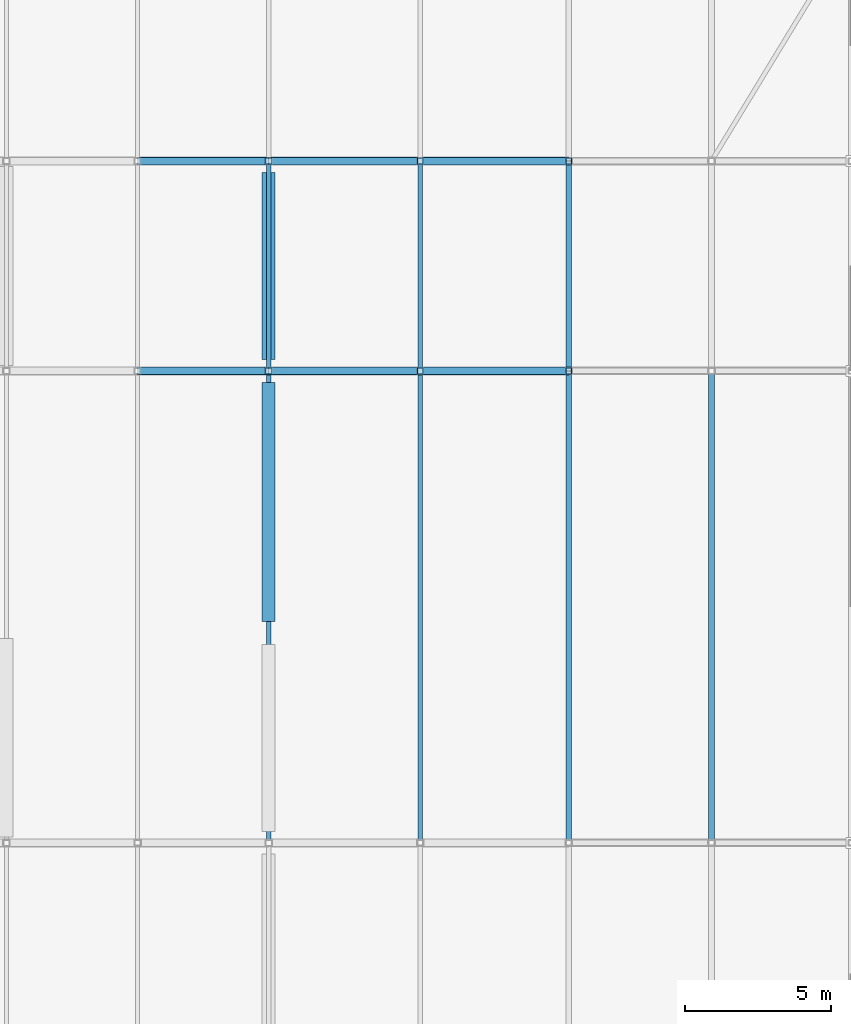
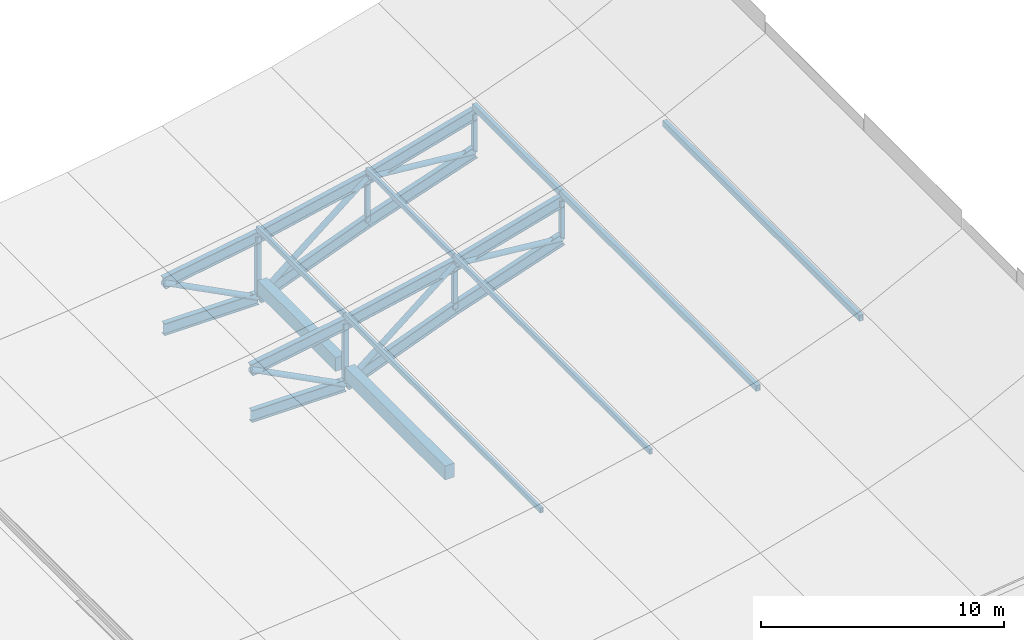
# One storey, part 16 of 24: 19 members, 14 beams.
"""IFC4 building model written with IfcOpenShell, lengths in metres."""

from ifc_helpers import new_model, si_unit, direction, frame, origin, origin_2d, place, context, subcontext, project, spatial, rectangle, hollow_rectangle, hollow_circle, i_section, extrude, material, material_profile, profile_set, type_object, element, save


model = new_model("IFC4")

# Units and contexts
model_context = context("Model", 3, precision=1e-05, world=origin(), true_north=direction((0.0, 1.0)))
body_context = subcontext(model_context, "Body", "Model", "MODEL_VIEW")
ifc_project = project(units=[si_unit("LENGTHUNIT", "METRE"), si_unit("AREAUNIT", "SQUARE_METRE"), si_unit("VOLUMEUNIT", "CUBIC_METRE"), si_unit("PLANEANGLEUNIT", "RADIAN"), si_unit("MASSUNIT", "GRAM", prefix="KILO"), si_unit("THERMODYNAMICTEMPERATUREUNIT", "KELVIN"), si_unit("POWERUNIT", "WATT")], contexts=[model_context])

# Site, building, storey
site_placement = place(None, origin())
site = spatial("IfcSite", under=ifc_project, at=site_placement, CompositionType="ELEMENT")
building_placement = place(site_placement, origin())
building = spatial("IfcBuilding", under=site, at=building_placement, Name="Sindhuravela Promenade Stadium", CompositionType="ELEMENT")
storey_placement = place(building_placement, frame((0.0, 0.0, 28.800048828125)))
storey = spatial("IfcBuildingStorey", under=building, at=storey_placement, Name="RF", CompositionType="ELEMENT", Elevation=28.800048828125)

# Beams
ifc_material_1 = material(Name="Concrete M40", Category="concrete")
ifc_material_profile_1 = material_profile(ifc_material_1, rectangle(XDim=0.449951171875, YDim=0.699951171875, at=origin_2d()), Name="RC 450x700")
ifc_profile_set_1 = profile_set([ifc_material_profile_1], Name="Concrete M40")
beam_type_1 = type_object("IfcBeamType", Name="RC-BM-450x700", PredefinedType="BEAM", material=ifc_profile_set_1)
beam_1_placement = place(storey_placement, frame((36.0, 101.18994140625, -0.590087890625), z_axis=(0.0, 1.0, 0.0), x_axis=(-1.0, 0.0, 0.0)))
element("IfcBeam", 1, at=beam_1_placement, inside=storey, type_object=beam_type_1, Name="Primary beam GB07 WEST RF", PredefinedType="BEAM", context=body_context, shape_type="SweptSolid", body=[
    extrude(rectangle(XDim=0.449951171875, YDim=0.699951171875, at=origin_2d()), origin(), (0.0, 0.0, 1.0), 8.219970703125),
])
beam_2_placement = place(storey_placement, frame((36.0, 110.18994140625, -0.590087890625), z_axis=(0.0, 1.0, 0.0), x_axis=(-1.0, 0.0, 0.0)))
element("IfcBeam", 2, at=beam_2_placement, inside=storey, type_object=beam_type_1, Name="Primary beam GB07 WEST RF", PredefinedType="BEAM", context=body_context, shape_type="SweptSolid", body=[
    extrude(rectangle(XDim=0.449951171875, YDim=0.699951171875, at=origin_2d()), origin(), (0.0, 0.0, 1.0), 6.420166015625),
])
ifc_material_2 = material(Name="Steel E350 (IS 2062 E350BR)", Category="steel")
ifc_material_profile_2 = material_profile(ifc_material_2, i_section(OverallWidth=0.25, OverallDepth=0.60009765625, WebThickness=0.01171875, FlangeThickness=0.023681640625, FilletRadius=0.01708984375, at=origin_2d()), Name="ISWB 600")
ifc_profile_set_2 = profile_set([ifc_material_profile_2], Name="Steel E350 (IS 2062 E350BR)")
beam_type_2 = type_object("IfcBeamType", Name="ST-BM-WB600", PredefinedType="USERDEFINED", material=ifc_profile_set_2)
beam_3_placement = place(storey_placement, frame((31.5, 109.800048828125, 0.91796875), z_axis=(0.9860007817439423, 0.0, 0.16674069209504494), x_axis=(0.0, 1.0, 0.0)))
element("IfcBeam", 3, at=beam_3_placement, inside=storey, type_object=beam_type_2, Name="Roof truss RT-W07 top chord 4", ObjectType="ROOF TRUSS", PredefinedType="USERDEFINED", context=body_context, shape_type="SweptSolid", body=[
    extrude(i_section(OverallWidth=0.25, OverallDepth=0.60009765625, WebThickness=0.01171875, FlangeThickness=0.023681640625, FilletRadius=0.01708984375, at=origin_2d()), origin(), (0.0, 0.0, 1.0), 4.56396484375),
])
beam_4_placement = place(storey_placement, frame((31.5, 109.800048828125, -1.400146484375), z_axis=(1.0, 0.0, 0.0), x_axis=(0.0, 1.0, 0.0)))
element("IfcBeam", 4, at=beam_4_placement, inside=storey, type_object=beam_type_2, Name="Roof truss RT-W07 bottom chord 4", ObjectType="ROOF TRUSS", PredefinedType="USERDEFINED", context=body_context, shape_type="SweptSolid", body=[
    extrude(i_section(OverallWidth=0.25, OverallDepth=0.60009765625, WebThickness=0.01171875, FlangeThickness=0.023681640625, FilletRadius=0.01708984375, at=origin_2d()), origin(), (0.0, 0.0, 1.0), 4.5),
])
beam_5_placement = place(storey_placement, frame((36.0, 109.800048828125, 1.678955078125), z_axis=(0.9771784342317954, 0.0, 0.21242012068609853), x_axis=(0.0, 1.0, 0.0)))
element("IfcBeam", 5, at=beam_5_placement, inside=storey, type_object=beam_type_2, Name="Roof truss RT-W07 top chord 5", ObjectType="ROOF TRUSS", PredefinedType="USERDEFINED", context=body_context, shape_type="SweptSolid", body=[
    extrude(i_section(OverallWidth=0.25, OverallDepth=0.60009765625, WebThickness=0.01171875, FlangeThickness=0.023681640625, FilletRadius=0.01708984375, at=origin_2d()), origin(), (0.0, 0.0, 1.0), 5.3212890625),
])
beam_6_placement = place(storey_placement, frame((36.0, 109.800048828125, -1.400146484375), z_axis=(0.9332269823320635, 0.0, 0.3592873494118466), x_axis=(0.0, 1.0, 0.0)))
element("IfcBeam", 6, at=beam_6_placement, inside=storey, type_object=beam_type_2, Name="Roof truss RT-W07 bottom chord 5", ObjectType="ROOF TRUSS", PredefinedType="USERDEFINED", context=body_context, shape_type="SweptSolid", body=[
    extrude(i_section(OverallWidth=0.25, OverallDepth=0.60009765625, WebThickness=0.01171875, FlangeThickness=0.023681640625, FilletRadius=0.01708984375, at=origin_2d()), origin(), (0.0, 0.0, 1.0), 5.572021484375),
])
beam_7_placement = place(storey_placement, frame((41.199951171875, 109.800048828125, 2.809326171875), z_axis=(0.9625104587283877, 0.0, 0.2712445701548118), x_axis=(0.0, 1.0, 0.0)))
element("IfcBeam", 7, at=beam_7_placement, inside=storey, type_object=beam_type_2, Name="Roof truss RT-W07 top chord 6", ObjectType="ROOF TRUSS", PredefinedType="USERDEFINED", context=body_context, shape_type="SweptSolid", body=[
    extrude(i_section(OverallWidth=0.25, OverallDepth=0.60009765625, WebThickness=0.01171875, FlangeThickness=0.023681640625, FilletRadius=0.01708984375, at=origin_2d()), origin(), (0.0, 0.0, 1.0), 5.298828125),
])
beam_8_placement = place(storey_placement, frame((41.199951171875, 109.800048828125, 0.601806640625), z_axis=(0.947332432417477, 0.0, 0.32025187351518536), x_axis=(0.0, 1.0, 0.0)))
element("IfcBeam", 8, at=beam_8_placement, inside=storey, type_object=beam_type_2, Name="Roof truss RT-W07 bottom chord 6", ObjectType="ROOF TRUSS", PredefinedType="USERDEFINED", context=body_context, shape_type="SweptSolid", body=[
    extrude(i_section(OverallWidth=0.25, OverallDepth=0.60009765625, WebThickness=0.01171875, FlangeThickness=0.023681640625, FilletRadius=0.01708984375, at=origin_2d()), origin(), (0.0, 0.0, 1.0), 5.383544921875),
])
beam_9_placement = place(storey_placement, frame((31.5, 117.0, 0.91796875), z_axis=(0.9860007817439423, 0.0, 0.16674069209504494), x_axis=(0.0, 1.0, 0.0)))
element("IfcBeam", 9, at=beam_9_placement, inside=storey, type_object=beam_type_2, Name="Roof truss RT-W08 top chord 4", ObjectType="ROOF TRUSS", PredefinedType="USERDEFINED", context=body_context, shape_type="SweptSolid", body=[
    extrude(i_section(OverallWidth=0.25, OverallDepth=0.60009765625, WebThickness=0.01171875, FlangeThickness=0.023681640625, FilletRadius=0.01708984375, at=origin_2d()), origin(), (0.0, 0.0, 1.0), 4.56396484375),
])
beam_10_placement = place(storey_placement, frame((31.5, 117.0, -1.400146484375), z_axis=(1.0, 0.0, 0.0), x_axis=(0.0, 1.0, 0.0)))
element("IfcBeam", 10, at=beam_10_placement, inside=storey, type_object=beam_type_2, Name="Roof truss RT-W08 bottom chord 4", ObjectType="ROOF TRUSS", PredefinedType="USERDEFINED", context=body_context, shape_type="SweptSolid", body=[
    extrude(i_section(OverallWidth=0.25, OverallDepth=0.60009765625, WebThickness=0.01171875, FlangeThickness=0.023681640625, FilletRadius=0.01708984375, at=origin_2d()), origin(), (0.0, 0.0, 1.0), 4.5),
])
beam_11_placement = place(storey_placement, frame((36.0, 117.0, 1.678955078125), z_axis=(0.9771784342317954, 0.0, 0.21242012068609853), x_axis=(0.0, 1.0, 0.0)))
element("IfcBeam", 11, at=beam_11_placement, inside=storey, type_object=beam_type_2, Name="Roof truss RT-W08 top chord 5", ObjectType="ROOF TRUSS", PredefinedType="USERDEFINED", context=body_context, shape_type="SweptSolid", body=[
    extrude(i_section(OverallWidth=0.25, OverallDepth=0.60009765625, WebThickness=0.01171875, FlangeThickness=0.023681640625, FilletRadius=0.01708984375, at=origin_2d()), origin(), (0.0, 0.0, 1.0), 5.3212890625),
])
beam_12_placement = place(storey_placement, frame((36.0, 117.0, -1.400146484375), z_axis=(0.9332269823320635, 0.0, 0.3592873494118466), x_axis=(0.0, 1.0, 0.0)))
element("IfcBeam", 12, at=beam_12_placement, inside=storey, type_object=beam_type_2, Name="Roof truss RT-W08 bottom chord 5", ObjectType="ROOF TRUSS", PredefinedType="USERDEFINED", context=body_context, shape_type="SweptSolid", body=[
    extrude(i_section(OverallWidth=0.25, OverallDepth=0.60009765625, WebThickness=0.01171875, FlangeThickness=0.023681640625, FilletRadius=0.01708984375, at=origin_2d()), origin(), (0.0, 0.0, 1.0), 5.572021484375),
])
beam_13_placement = place(storey_placement, frame((41.199951171875, 117.0, 2.809326171875), z_axis=(0.9625104587283877, 0.0, 0.2712445701548118), x_axis=(0.0, 1.0, 0.0)))
element("IfcBeam", 13, at=beam_13_placement, inside=storey, type_object=beam_type_2, Name="Roof truss RT-W08 top chord 6", ObjectType="ROOF TRUSS", PredefinedType="USERDEFINED", context=body_context, shape_type="SweptSolid", body=[
    extrude(i_section(OverallWidth=0.25, OverallDepth=0.60009765625, WebThickness=0.01171875, FlangeThickness=0.023681640625, FilletRadius=0.01708984375, at=origin_2d()), origin(), (0.0, 0.0, 1.0), 5.298828125),
])
beam_14_placement = place(storey_placement, frame((41.199951171875, 117.0, 0.601806640625), z_axis=(0.947332432417477, 0.0, 0.32025187351518536), x_axis=(0.0, 1.0, 0.0)))
element("IfcBeam", 14, at=beam_14_placement, inside=storey, type_object=beam_type_2, Name="Roof truss RT-W08 bottom chord 6", ObjectType="ROOF TRUSS", PredefinedType="USERDEFINED", context=body_context, shape_type="SweptSolid", body=[
    extrude(i_section(OverallWidth=0.25, OverallDepth=0.60009765625, WebThickness=0.01171875, FlangeThickness=0.023681640625, FilletRadius=0.01708984375, at=origin_2d()), origin(), (0.0, 0.0, 1.0), 5.383544921875),
])

# Members
ifc_material_profile_3 = material_profile(ifc_material_2, hollow_circle(Radius=0.136474609375, WallThickness=0.010009765625, at=origin_2d()), Name="CHS 273.0x10")
ifc_profile_set_3 = profile_set([ifc_material_profile_3], Name="Steel E350 (IS 2062 E350BR)")
member_type_1 = type_object("IfcMemberType", Name="ST-MB-CHS273", PredefinedType="BRACE", material=ifc_profile_set_3)
member_1_placement = place(storey_placement, frame((31.5, 109.800048828125, 0.91796875), z_axis=(0.8889799113932431, 0.0, -0.457946194589781), x_axis=(0.0, 1.0, 0.0)))
element("IfcMember", 15, at=member_1_placement, inside=storey, type_object=member_type_1, Name="Roof truss RT-W07 diagonal web 4", PredefinedType="BRACE", context=body_context, shape_type="SweptSolid", body=[
    extrude(hollow_circle(Radius=0.136474609375, WallThickness=0.010009765625, at=origin_2d()), origin(), (0.0, 0.0, 1.0), 5.06201171875),
])
member_2_placement = place(storey_placement, frame((36.0, 109.800048828125, -1.400146484375), z_axis=(0.7772457205233317, 0.0, 0.6291971788939991), x_axis=(0.0, 1.0, 0.0)))
element("IfcMember", 16, at=member_2_placement, inside=storey, type_object=member_type_1, Name="Roof truss RT-W07 diagonal web 5", PredefinedType="BRACE", context=body_context, shape_type="SweptSolid", body=[
    extrude(hollow_circle(Radius=0.136474609375, WallThickness=0.010009765625, at=origin_2d()), origin(), (0.0, 0.0, 1.0), 6.690185546875),
])
member_3_placement = place(storey_placement, frame((41.199951171875, 109.800048828125, 2.809326171875), z_axis=(0.9955382080230687, 0.0, -0.09435929401080306), x_axis=(0.0, 1.0, 0.0)))
element("IfcMember", 17, at=member_3_placement, inside=storey, type_object=member_type_1, Name="Roof truss RT-W07 diagonal web 6", PredefinedType="BRACE", context=body_context, shape_type="SweptSolid", body=[
    extrude(hollow_circle(Radius=0.136474609375, WallThickness=0.010009765625, at=origin_2d()), origin(), (0.0, 0.0, 1.0), 5.123046875),
])
member_4_placement = place(storey_placement, frame((31.5, 117.0, 0.91796875), z_axis=(0.8889799113932431, 0.0, -0.457946194589781), x_axis=(0.0, 1.0, 0.0)))
element("IfcMember", 18, at=member_4_placement, inside=storey, type_object=member_type_1, Name="Roof truss RT-W08 diagonal web 4", PredefinedType="BRACE", context=body_context, shape_type="SweptSolid", body=[
    extrude(hollow_circle(Radius=0.136474609375, WallThickness=0.010009765625, at=origin_2d()), origin(), (0.0, 0.0, 1.0), 5.06201171875),
])
member_5_placement = place(storey_placement, frame((36.0, 117.0, -1.400146484375), z_axis=(0.7772457205233317, 0.0, 0.6291971788939991), x_axis=(0.0, 1.0, 0.0)))
element("IfcMember", 19, at=member_5_placement, inside=storey, type_object=member_type_1, Name="Roof truss RT-W08 diagonal web 5", PredefinedType="BRACE", context=body_context, shape_type="SweptSolid", body=[
    extrude(hollow_circle(Radius=0.136474609375, WallThickness=0.010009765625, at=origin_2d()), origin(), (0.0, 0.0, 1.0), 6.690185546875),
])
member_6_placement = place(storey_placement, frame((41.199951171875, 117.0, 2.809326171875), z_axis=(0.9955382080230687, 0.0, -0.09435929401080306), x_axis=(0.0, 1.0, 0.0)))
element("IfcMember", 20, at=member_6_placement, inside=storey, type_object=member_type_1, Name="Roof truss RT-W08 diagonal web 6", PredefinedType="BRACE", context=body_context, shape_type="SweptSolid", body=[
    extrude(hollow_circle(Radius=0.136474609375, WallThickness=0.010009765625, at=origin_2d()), origin(), (0.0, 0.0, 1.0), 5.123046875),
])
ifc_material_profile_4 = material_profile(ifc_material_2, hollow_rectangle(XDim=0.14990234375, YDim=0.25, WallThickness=0.010009765625, at=origin_2d()), Name="RHS 250x150x10")
ifc_profile_set_4 = profile_set([ifc_material_profile_4], Name="Steel E350 (IS 2062 E350BR)")
member_type_2 = type_object("IfcMemberType", Name="ST-MB-RHS250", PredefinedType="PURLIN", material=ifc_profile_set_4)
for number, where, z_axis, x_axis, name in (
    (21, (36.0, 93.60009765625, 2.071044921875), (0.0, 1.0, 0.0), (-1.0, 0.0, 0.0), "Roof purlin PR01 W bay 6.5"),
    (22, (41.199951171875, 93.60009765625, 3.201416015625), (0.0, 1.0, 0.0), (-1.0, 0.0, 0.0), "Roof purlin PR01 W bay 6.6"),
):
    element("IfcMember", number, at=place(storey_placement, frame(where, z_axis=z_axis, x_axis=x_axis)), inside=storey, type_object=member_type_2, Name=name, PredefinedType="PURLIN", context=body_context, shape_type="SweptSolid", body=[
        extrude(hollow_rectangle(XDim=0.14990234375, YDim=0.25, WallThickness=0.010009765625, at=origin_2d()), origin(), (0.0, 0.0, 1.0), 16.199951171875),
    ])
for number, where, z_axis, x_axis, name in (
    (23, (36.0, 109.800048828125, 2.071044921875), (0.0, 1.0, 0.0), (-1.0, 0.0, 0.0), "Roof purlin PR01 W bay 7.5"),
    (24, (41.199951171875, 109.800048828125, 3.201416015625), (0.0, 1.0, 0.0), (-1.0, 0.0, 0.0), "Roof purlin PR01 W bay 7.6"),
):
    element("IfcMember", number, at=place(storey_placement, frame(where, z_axis=z_axis, x_axis=x_axis)), inside=storey, type_object=member_type_2, Name=name, PredefinedType="PURLIN", context=body_context, shape_type="SweptSolid", body=[
        extrude(hollow_rectangle(XDim=0.14990234375, YDim=0.25, WallThickness=0.010009765625, at=origin_2d()), origin(), (0.0, 0.0, 1.0), 7.199951171875),
    ])
ifc_material_profile_5 = material_profile(ifc_material_2, hollow_rectangle(XDim=0.199951171875, YDim=0.300048828125, WallThickness=0.010009765625, at=origin_2d()), Name="RHS 300x200x10")
ifc_profile_set_5 = profile_set([ifc_material_profile_5], Name="Steel E350 (IS 2062 E350BR)")
member_type_3 = type_object("IfcMemberType", Name="ST-MB-RHS300", PredefinedType="PURLIN", material=ifc_profile_set_5)
for number, where, z_axis, x_axis, name in (
    (25, (46.300048828125, 93.60009765625, 4.613525390625), (0.0, 1.0, 0.0), (-1.0, 0.0, 0.0), "Roof purlin PR02 W bay 6.7"),
    (26, (51.199951171875, 93.60009765625, 6.422119140625), (0.0, 1.0, 0.0), (-1.0, 0.0, 0.0), "Roof purlin PR02 W bay 6.8"),
):
    element("IfcMember", number, at=place(storey_placement, frame(where, z_axis=z_axis, x_axis=x_axis)), inside=storey, type_object=member_type_3, Name=name, PredefinedType="PURLIN", context=body_context, shape_type="SweptSolid", body=[
        extrude(hollow_rectangle(XDim=0.199951171875, YDim=0.300048828125, WallThickness=0.010009765625, at=origin_2d()), origin(), (0.0, 0.0, 1.0), 16.199951171875),
    ])
member_7_placement = place(storey_placement, frame((46.300048828125, 109.800048828125, 4.613525390625), z_axis=(0.0, 1.0, 0.0), x_axis=(-1.0, 0.0, 0.0)))
element("IfcMember", 27, at=member_7_placement, inside=storey, type_object=member_type_3, Name="Roof purlin PR02 W bay 7.7", PredefinedType="PURLIN", context=body_context, shape_type="SweptSolid", body=[
    extrude(hollow_rectangle(XDim=0.199951171875, YDim=0.300048828125, WallThickness=0.010009765625, at=origin_2d()), origin(), (0.0, 0.0, 1.0), 7.199951171875),
])
ifc_material_profile_6 = material_profile(ifc_material_2, hollow_rectangle(XDim=0.199951171875, YDim=0.199951171875, WallThickness=0.010009765625, at=origin_2d()), Name="SHS 200x200x10")
ifc_profile_set_6 = profile_set([ifc_material_profile_6], Name="Steel E350 (IS 2062 E350BR)")
member_type_4 = type_object("IfcMemberType", Name="ST-MB-SHS200", PredefinedType="POST", material=ifc_profile_set_6)
member_8_placement = place(storey_placement, frame((41.199951171875, 109.800048828125, 0.601806640625), z_axis=(0.0, 0.0, 1.0), x_axis=(1.0, 0.0, 0.0)))
element("IfcMember", 28, at=member_8_placement, inside=storey, type_object=member_type_4, Name="Roof truss RT-W07 vertical post 6", PredefinedType="POST", context=body_context, shape_type="SweptSolid", body=[
    extrude(hollow_rectangle(XDim=0.199951171875, YDim=0.199951171875, WallThickness=0.010009765625, at=origin_2d()), origin(), (0.0, 0.0, 1.0), 2.20751953125),
])
member_9_placement = place(storey_placement, frame((46.300048828125, 109.800048828125, 2.325927734375), z_axis=(0.0, 0.0, 1.0), x_axis=(1.0, 0.0, 0.0)))
element("IfcMember", 29, at=member_9_placement, inside=storey, type_object=member_type_4, Name="Roof truss RT-W07 vertical post 7", PredefinedType="POST", context=body_context, shape_type="SweptSolid", body=[
    extrude(hollow_rectangle(XDim=0.199951171875, YDim=0.199951171875, WallThickness=0.010009765625, at=origin_2d()), origin(), (0.0, 0.0, 1.0), 1.920654296875),
])
member_10_placement = place(storey_placement, frame((41.199951171875, 117.0, 0.601806640625), z_axis=(0.0, 0.0, 1.0), x_axis=(1.0, 0.0, 0.0)))
element("IfcMember", 30, at=member_10_placement, inside=storey, type_object=member_type_4, Name="Roof truss RT-W08 vertical post 6", PredefinedType="POST", context=body_context, shape_type="SweptSolid", body=[
    extrude(hollow_rectangle(XDim=0.199951171875, YDim=0.199951171875, WallThickness=0.010009765625, at=origin_2d()), origin(), (0.0, 0.0, 1.0), 2.20751953125),
])
member_11_placement = place(storey_placement, frame((46.300048828125, 117.0, 2.325927734375), z_axis=(0.0, 0.0, 1.0), x_axis=(1.0, 0.0, 0.0)))
element("IfcMember", 31, at=member_11_placement, inside=storey, type_object=member_type_4, Name="Roof truss RT-W08 vertical post 7", PredefinedType="POST", context=body_context, shape_type="SweptSolid", body=[
    extrude(hollow_rectangle(XDim=0.199951171875, YDim=0.199951171875, WallThickness=0.010009765625, at=origin_2d()), origin(), (0.0, 0.0, 1.0), 1.920654296875),
])
ifc_material_profile_7 = material_profile(ifc_material_2, hollow_rectangle(XDim=0.219970703125, YDim=0.219970703125, WallThickness=0.011962890625, at=origin_2d()), Name="SHS 220x220x12")
ifc_profile_set_7 = profile_set([ifc_material_profile_7], Name="Steel E350 (IS 2062 E350BR)")
member_type_5 = type_object("IfcMemberType", Name="ST-MB-SHS220", PredefinedType="POST", material=ifc_profile_set_7)
for number, where, z_axis, x_axis, name in (
    (32, (36.0, 109.800048828125, -1.400146484375), (0.0, 0.0, 1.0), (1.0, 0.0, 0.0), "Roof truss RT-W07 vertical post 5"),
    (33, (36.0, 117.0, -1.400146484375), (0.0, 0.0, 1.0), (1.0, 0.0, 0.0), "Roof truss RT-W08 vertical post 5"),
):
    element("IfcMember", number, at=place(storey_placement, frame(where, z_axis=z_axis, x_axis=x_axis)), inside=storey, type_object=member_type_5, Name=name, PredefinedType="POST", context=body_context, shape_type="SweptSolid", body=[
        extrude(hollow_rectangle(XDim=0.219970703125, YDim=0.219970703125, WallThickness=0.011962890625, at=origin_2d()), origin(), (0.0, 0.0, 1.0), 3.0791015625),
    ])

save(model, "model.ifc")
